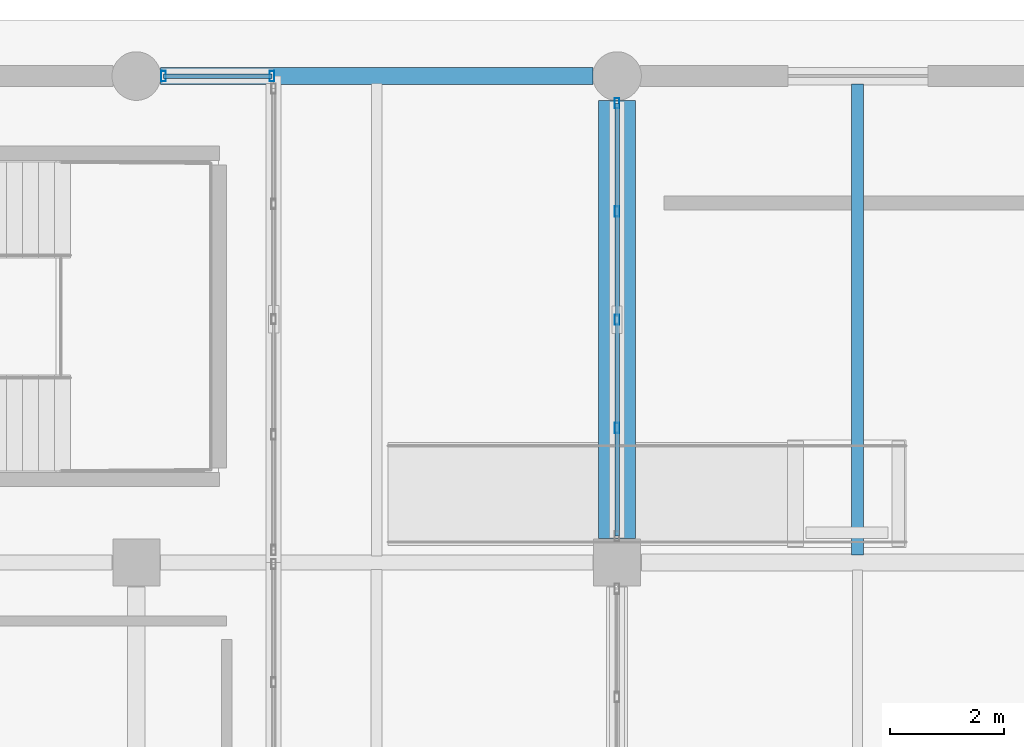
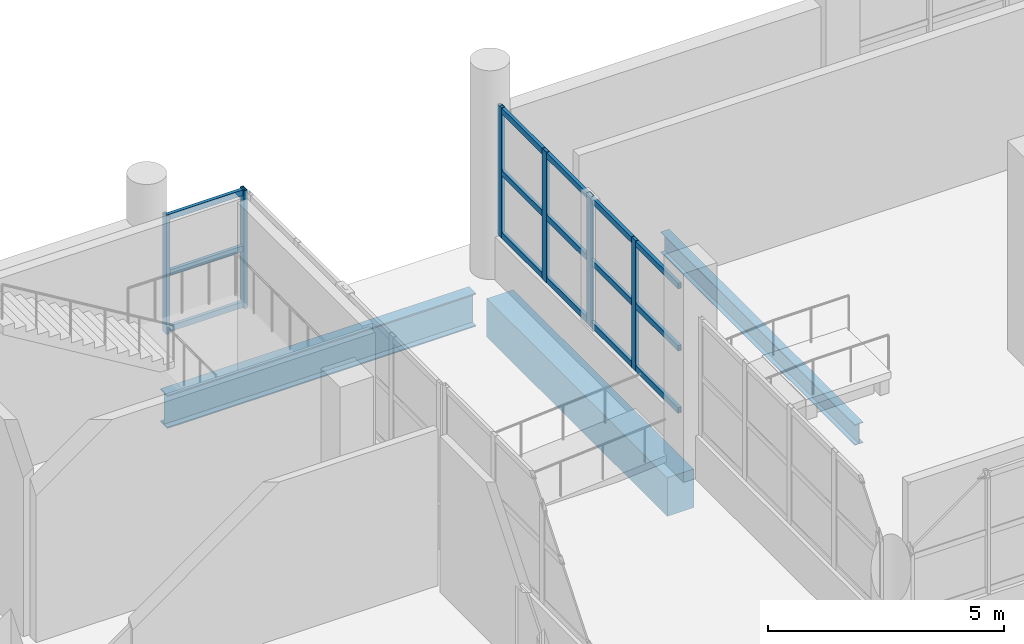
# One storey, part 65 of 107: 12 members, 3 beams, 2 elements without a shape of their own.
"""IFC4 building model written with IfcOpenShell, lengths in metres."""

from ifc_helpers import new_model, si_unit, direction, frame, origin, origin_2d, place, context, subcontext, project, spatial, rectangle, hollow_rectangle, i_section, extrude, material, material_profile, profile_set, type_object, element, aggregate, save


model = new_model("IFC4")

# Units and contexts
model_context = context("Model", 3, precision=1e-05, world=origin(), true_north=direction((0.0, 1.0)))
body_context = subcontext(model_context, "Body", "Model", "MODEL_VIEW")
ifc_project = project(units=[si_unit("LENGTHUNIT", "METRE"), si_unit("AREAUNIT", "SQUARE_METRE"), si_unit("VOLUMEUNIT", "CUBIC_METRE"), si_unit("PLANEANGLEUNIT", "RADIAN"), si_unit("MASSUNIT", "GRAM", prefix="KILO")], contexts=[model_context])

# Site, building, storey
site_placement = place(None, origin())
site = spatial("IfcSite", under=ifc_project, at=site_placement, CompositionType="ELEMENT")
building_placement = place(site_placement, origin())
building = spatial("IfcBuilding", under=site, at=building_placement, Name="Solvento Point Concert Hall", CompositionType="ELEMENT")
storey_placement = place(building_placement, origin())
storey = spatial("IfcBuildingStorey", under=building, at=storey_placement, Name="L00", CompositionType="ELEMENT", Elevation=0.0)

# Beams
ifc_material_1 = material(Name="Structural Steel ASTM A992 Grade 50", Category="steel")
ifc_material_profile_1 = material_profile(ifc_material_1, i_section(OverallWidth=0.20947265625, OverallDepth=0.532958984375, WebThickness=0.01025390625, FlangeThickness=0.015625, at=origin_2d()), Name="W21X62")
ifc_profile_set_1 = profile_set([ifc_material_profile_1], Name="Structural Steel ASTM A992 Grade 50")
beam_type_1 = type_object("IfcBeamType", Name="Beam_W21X62", PredefinedType="BEAM", material=ifc_profile_set_1)
beam_1_placement = place(storey_placement, frame((28.199951171875, 127.631103515625, -0.680419921875), z_axis=(0.0, 1.0, 0.0), x_axis=(-1.0, 0.0, 0.0)))
element("IfcBeam", 1, at=beam_1_placement, inside=storey, type_object=beam_type_1, Name="Secondary floor joist B-25 L00", PredefinedType="BEAM", context=body_context, shape_type="SweptSolid", body=[
    extrude(i_section(OverallWidth=0.20947265625, OverallDepth=0.532958984375, WebThickness=0.01025390625, FlangeThickness=0.015625, at=origin_2d()), origin(), (0.0, 0.0, 1.0), 8.22998046875),
])
ifc_material_2 = material(Name="Concrete C35/45", Category="concrete")
ifc_material_profile_2 = material_profile(ifc_material_2, rectangle(XDim=0.64990234375, YDim=1.0, at=origin_2d()), Name="RC-BM-650X1000")
ifc_profile_set_2 = profile_set([ifc_material_profile_2], Name="Concrete C35/45")
beam_type_2 = type_object("IfcBeamType", Name="Girder_RC_650x1000", PredefinedType="USERDEFINED", material=ifc_profile_set_2)
beam_2_placement = place(storey_placement, frame((24.0, 127.924072265625, -0.9140625), z_axis=(0.0, 1.0, 0.0), x_axis=(-1.0, 0.0, 0.0)))
element("IfcBeam", 2, at=beam_2_placement, inside=storey, type_object=beam_type_2, Name="Primary girder B-67 L00", ObjectType="GIRDER", PredefinedType="USERDEFINED", context=body_context, shape_type="SweptSolid", body=[
    extrude(rectangle(XDim=0.64990234375, YDim=1.0, at=origin_2d()), origin(), (0.0, 0.0, 1.0), 7.65185546875),
])
ifc_material_3 = material(Name="Structural Steel ASTM A992 Grade 50", Category="steel")
ifc_material_profile_3 = material_profile(ifc_material_3, i_section(OverallWidth=0.2919921875, OverallDepth=0.85888671875, WebThickness=0.01708984375, FlangeThickness=0.031005859375, at=origin_2d()), Name="W33X169")
ifc_profile_set_3 = profile_set([ifc_material_profile_3], Name="Structural Steel ASTM A992 Grade 50")
beam_type_3 = type_object("IfcBeamType", Name="Girder_W33X169", PredefinedType="USERDEFINED", material=ifc_profile_set_3)
beam_3_placement = place(storey_placement, frame((16.02392578125, 136.0, -0.843505859375), z_axis=(1.0, 0.0, 0.0), x_axis=(0.0, 1.0, 0.0)))
element("IfcBeam", 3, at=beam_3_placement, inside=storey, type_object=beam_type_3, Name="Primary girder B-33 L00", ObjectType="GIRDER", PredefinedType="USERDEFINED", context=body_context, shape_type="SweptSolid", body=[
    extrude(i_section(OverallWidth=0.2919921875, OverallDepth=0.85888671875, WebThickness=0.01708984375, FlangeThickness=0.031005859375, at=origin_2d()), origin(), (0.0, 0.0, 1.0), 7.552001953125),
])

# Curtain wall, members
ifc_material_4 = material(Name="Anodized Bronze Aluminium", Category="aluminium")
curtain_wall_type = type_object("IfcCurtainWallType", Name="CurtainWall_CourtPilotis", PredefinedType="USERDEFINED", material=ifc_material_4)
curtain_wall_1_placement = place(storey_placement, origin())
curtain_wall_1 = element("IfcCurtainWall", 4, at=curtain_wall_1_placement, inside=storey, type_object=curtain_wall_type, Name="Unitised curtain wall CW-96 UCW-L00-028", ObjectType="UNITISED CURTAIN WALL", PredefinedType="USERDEFINED")
ifc_material_5 = material(Name="Anodized Bronze Aluminium", Category="aluminium")
ifc_material_profile_4 = material_profile(ifc_material_5, hollow_rectangle(XDim=0.080078125, YDim=0.179931640625, WallThickness=0.00390625, at=origin_2d()), Name="CW-MUL-80X180")
ifc_profile_set_4 = profile_set([ifc_material_profile_4], Name="Anodized Bronze Aluminium")
member_type_1 = type_object("IfcMemberType", Name="Mullion_80x180", PredefinedType="MULLION", material=ifc_profile_set_4)
member_1_placement = place(storey_placement, frame((24.0, 129.851318359375, 1.1201171875), z_axis=(0.0, 0.0, 1.0), x_axis=(1.0, 0.0, 0.0)))
member_1 = element("IfcMember", 5, at=member_1_placement, type_object=member_type_1, Name="Curtain wall mullion ML-01", PredefinedType="MULLION", context=body_context, shape_type="SweptSolid", body=[
    extrude(hollow_rectangle(XDim=0.080078125, YDim=0.179931640625, WallThickness=0.00390625, at=origin_2d()), origin(), (0.0, 0.0, 1.0), 3.3759765625),
])
member_2_placement = place(storey_placement, frame((24.0, 131.742431640625, 1.1201171875), z_axis=(0.0, 0.0, 1.0), x_axis=(1.0, 0.0, 0.0)))
member_2 = element("IfcMember", 6, at=member_2_placement, type_object=member_type_1, Name="Curtain wall mullion ML-01", PredefinedType="MULLION", context=body_context, shape_type="SweptSolid", body=[
    extrude(hollow_rectangle(XDim=0.080078125, YDim=0.179931640625, WallThickness=0.00390625, at=origin_2d()), origin(), (0.0, 0.0, 1.0), 3.3759765625),
])
member_3_placement = place(storey_placement, frame((24.0, 133.6337890625, 1.1201171875), z_axis=(0.0, 0.0, 1.0), x_axis=(1.0, 0.0, 0.0)))
member_3 = element("IfcMember", 7, at=member_3_placement, type_object=member_type_1, Name="Curtain wall mullion ML-01", PredefinedType="MULLION", context=body_context, shape_type="SweptSolid", body=[
    extrude(hollow_rectangle(XDim=0.080078125, YDim=0.179931640625, WallThickness=0.00390625, at=origin_2d()), origin(), (0.0, 0.0, 1.0), 3.3759765625),
])
member_4_placement = place(storey_placement, frame((24.0, 135.52490234375, 1.1201171875), z_axis=(0.0, 0.0, 1.0), x_axis=(1.0, 0.0, 0.0)))
member_4 = element("IfcMember", 8, at=member_4_placement, type_object=member_type_1, Name="Curtain wall mullion ML-01", PredefinedType="MULLION", context=body_context, shape_type="SweptSolid", body=[
    extrude(hollow_rectangle(XDim=0.080078125, YDim=0.179931640625, WallThickness=0.00390625, at=origin_2d()), origin(), (0.0, 0.0, 1.0), 3.3759765625),
])

curtain_wall_2_placement = place(storey_placement, origin())
curtain_wall_2 = element("IfcCurtainWall", 9, at=curtain_wall_2_placement, inside=storey, type_object=curtain_wall_type, Name="Unitised curtain wall CW-96 UCW-L00-063", ObjectType="UNITISED CURTAIN WALL", PredefinedType="USERDEFINED")
member_5_placement = place(storey_placement, frame((16.074951171875, 136.0, 1.1201171875), z_axis=(0.0, 0.0, 1.0), x_axis=(1.0, 0.0, 0.0)))
member_5 = element("IfcMember", 10, at=member_5_placement, type_object=member_type_1, Name="Curtain wall mullion ML-01", PredefinedType="MULLION", context=body_context, shape_type="SweptSolid", body=[
    extrude(hollow_rectangle(XDim=0.080078125, YDim=0.179931640625, WallThickness=0.00390625, at=origin_2d()), origin(), (0.0, 0.0, 1.0), 3.056884765625),
])
member_6_placement = place(storey_placement, frame((17.969970703125, 136.0, 1.1201171875), z_axis=(0.0, 0.0, 1.0), x_axis=(1.0, 0.0, 0.0)))
member_6 = element("IfcMember", 11, at=member_6_placement, type_object=member_type_1, Name="Curtain wall mullion ML-01", PredefinedType="MULLION", context=body_context, shape_type="SweptSolid", body=[
    extrude(hollow_rectangle(XDim=0.080078125, YDim=0.179931640625, WallThickness=0.00390625, at=origin_2d()), origin(), (0.0, 0.0, 1.0), 3.056884765625),
])

# Member
ifc_material_6 = material(Name="Anodized Bronze Aluminium", Category="aluminium")
ifc_material_profile_5 = material_profile(ifc_material_6, hollow_rectangle(XDim=0.080078125, YDim=0.14990234375, WallThickness=0.00390625, at=origin_2d()), Name="CW-TRN-80X150")
ifc_profile_set_5 = profile_set([ifc_material_profile_5], Name="Anodized Bronze Aluminium")
member_type_2 = type_object("IfcMemberType", Name="Transom_80x150", PredefinedType="USERDEFINED", material=ifc_profile_set_5)
member_7_placement = place(storey_placement, frame((24.0, 127.9599609375, 1.199951171875), z_axis=(0.0, 1.0, 0.0), x_axis=(-1.0, 0.0, 0.0)))
member_7 = element("IfcMember", 12, at=member_7_placement, type_object=member_type_2, Name="Curtain wall transom TR-01", ObjectType="TRANSOM", PredefinedType="USERDEFINED", context=body_context, shape_type="SweptSolid", body=[
    extrude(hollow_rectangle(XDim=0.080078125, YDim=0.14990234375, WallThickness=0.00390625, at=origin_2d()), origin(), (0.0, 0.0, 1.0), 7.56494140625),
])

member_8_placement = place(storey_placement, frame((24.0, 127.9599609375, 2.80810546875), z_axis=(0.0, 1.0, 0.0), x_axis=(-1.0, 0.0, 0.0)))
member_8 = element("IfcMember", 13, at=member_8_placement, type_object=member_type_2, Name="Curtain wall transom TR-01", ObjectType="TRANSOM", PredefinedType="USERDEFINED", context=body_context, shape_type="SweptSolid", body=[
    extrude(hollow_rectangle(XDim=0.080078125, YDim=0.14990234375, WallThickness=0.00390625, at=origin_2d()), origin(), (0.0, 0.0, 1.0), 7.56494140625),
])

member_9_placement = place(storey_placement, frame((24.0, 127.9599609375, 4.416015625), z_axis=(0.0, 1.0, 0.0), x_axis=(-1.0, 0.0, 0.0)))
member_9 = element("IfcMember", 14, at=member_9_placement, type_object=member_type_2, Name="Curtain wall transom TR-01", ObjectType="TRANSOM", PredefinedType="USERDEFINED", context=body_context, shape_type="SweptSolid", body=[
    extrude(hollow_rectangle(XDim=0.080078125, YDim=0.14990234375, WallThickness=0.00390625, at=origin_2d()), origin(), (0.0, 0.0, 1.0), 7.56494140625),
])

aggregate(curtain_wall_1, [member_1, member_2, member_3, member_4, member_7, member_8, member_9])

member_10_placement = place(storey_placement, frame((16.074951171875, 136.0, 1.199951171875), z_axis=(1.0, 0.0, 0.0), x_axis=(0.0, 1.0, 0.0)))
member_10 = element("IfcMember", 15, at=member_10_placement, type_object=member_type_2, Name="Curtain wall transom TR-01", ObjectType="TRANSOM", PredefinedType="USERDEFINED", context=body_context, shape_type="SweptSolid", body=[
    extrude(hollow_rectangle(XDim=0.080078125, YDim=0.14990234375, WallThickness=0.00390625, at=origin_2d()), origin(), (0.0, 0.0, 1.0), 1.89501953125),
])

member_11_placement = place(storey_placement, frame((16.074951171875, 136.0, 2.6484375), z_axis=(1.0, 0.0, 0.0), x_axis=(0.0, 1.0, 0.0)))
member_11 = element("IfcMember", 16, at=member_11_placement, type_object=member_type_2, Name="Curtain wall transom TR-01", ObjectType="TRANSOM", PredefinedType="USERDEFINED", context=body_context, shape_type="SweptSolid", body=[
    extrude(hollow_rectangle(XDim=0.080078125, YDim=0.14990234375, WallThickness=0.00390625, at=origin_2d()), origin(), (0.0, 0.0, 1.0), 1.89501953125),
])

member_12_placement = place(storey_placement, frame((16.074951171875, 136.0, 4.096923828125), z_axis=(1.0, 0.0, 0.0), x_axis=(0.0, 1.0, 0.0)))
member_12 = element("IfcMember", 17, at=member_12_placement, type_object=member_type_2, Name="Curtain wall transom TR-01", ObjectType="TRANSOM", PredefinedType="USERDEFINED", context=body_context, shape_type="SweptSolid", body=[
    extrude(hollow_rectangle(XDim=0.080078125, YDim=0.14990234375, WallThickness=0.00390625, at=origin_2d()), origin(), (0.0, 0.0, 1.0), 1.89501953125),
])

aggregate(curtain_wall_2, [member_5, member_6, member_10, member_11, member_12])

save(model, "model.ifc")
